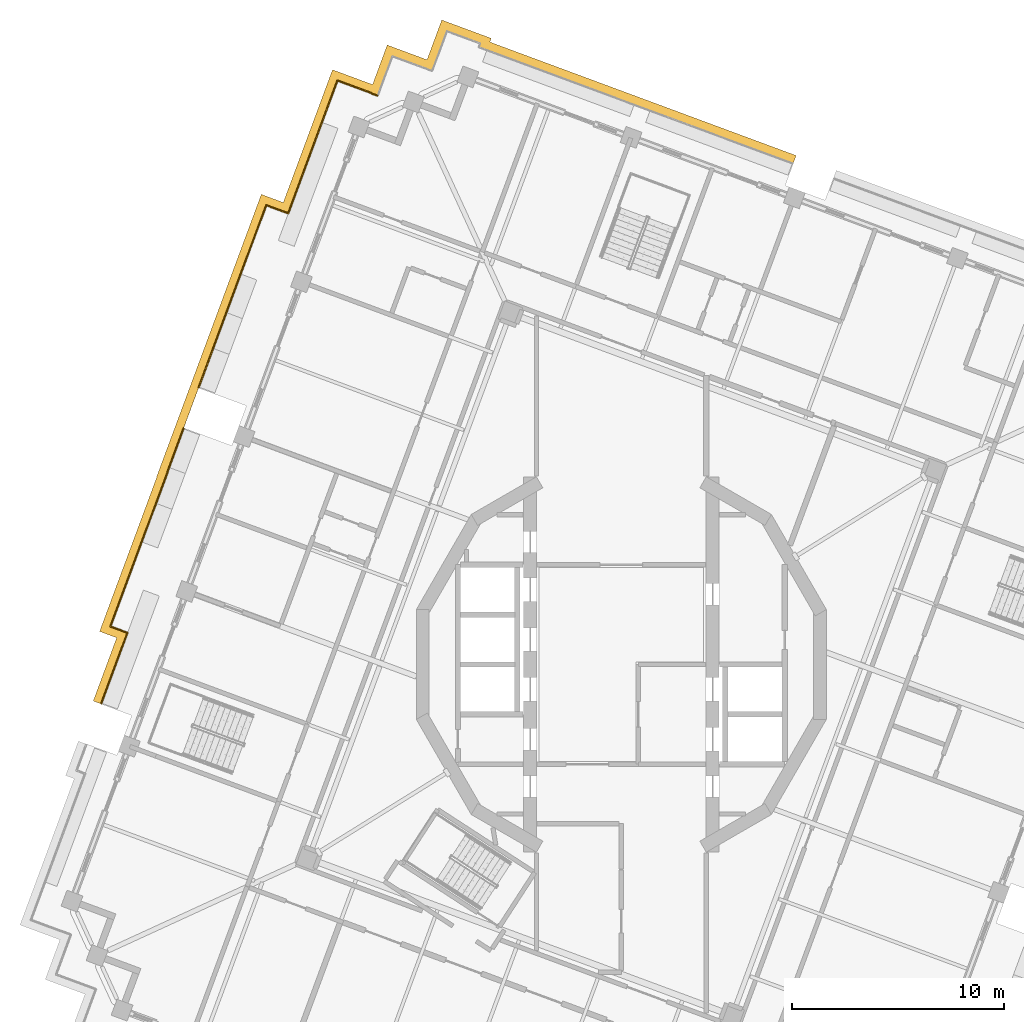
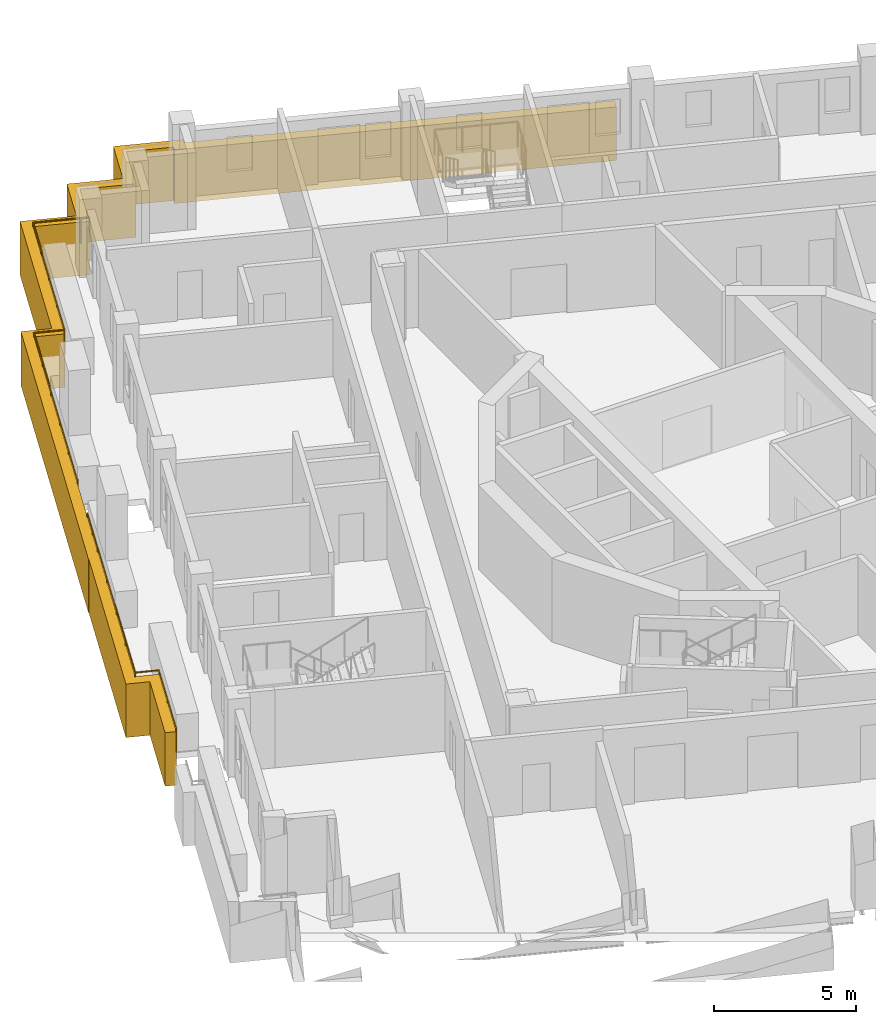
# One storey, part 15 of 18: 2 railings, 1 covering.
"""IFC4 building model written with IfcOpenShell, lengths in metres."""

import ifcopenshell
import ifcopenshell.guid

model = None  # the IFC model being written
_history = None  # IfcOwnerHistory: only IFC2X3 demands one
_inside = {}  # id of a spatial element -> (the spatial element, [elements in it])
_under = {}  # id of a project, library or spatial element -> (it, [spatial elements below it])
_declared = {}  # id of a project -> (the project, [libraries it declares])
_typed = {}  # id of a type object -> (the type object, [elements of that type])
_made_of = {}  # id of a material, layer set ... -> (it, [elements and type objects made of it])


def new_model(schema):
    """Start an empty IFC model of exactly this schema.

    Asked for "IFC4X3", IfcOpenShell would pick the latest addendum, in which some entities
    have other attributes; the version numbers below select the first issue.
    IFC2X3 requires an IfcOwnerHistory on every rooted entity: one is made here for all.
    """
    global model, _history
    if schema == "IFC4X3":
        model = ifcopenshell.file(schema_version=(4, 3, 0, 0))
    else:
        model = ifcopenshell.file(schema=schema)
    _inside.clear()
    _under.clear()
    _declared.clear()
    _typed.clear()
    _made_of.clear()
    _history = None
    if model.schema == "IFC2X3":
        org = make("IfcOrganization", Name="unknown")
        user = make(
            "IfcPersonAndOrganization",
            ThePerson=make("IfcPerson", FamilyName="unknown"),
            TheOrganization=org,
        )
        app = make(
            "IfcApplication",
            ApplicationDeveloper=org,
            Version="unknown",
            ApplicationFullName="unknown",
            ApplicationIdentifier="unknown",
        )
        _history = make(
            "IfcOwnerHistory",
            OwningUser=user,
            OwningApplication=app,
            ChangeAction="ADDED",
            CreationDate=0,
        )
    return model


def make(cls, **values):
    """One entity of the class cls with the attributes given. An attribute that is None is left unset."""
    return model.create_entity(
        cls, **{name: value for name, value in values.items() if value is not None}
    )


def rooted(cls, **values):
    """An entity with a GlobalId (a new one), such as an element, a storey or a relation."""
    return make(cls, GlobalId=ifcopenshell.guid.new(), OwnerHistory=_history, **values)


def si_unit(unit_type, name, prefix=None):
    """IfcSIUnit, for example si_unit("LENGTHUNIT", "METRE", prefix="MILLI")."""
    return make("IfcSIUnit", UnitType=unit_type, Prefix=prefix, Name=name)


def assignment(units):
    """IfcUnitAssignment: the units of a project."""
    return None if units is None else make("IfcUnitAssignment", Units=units)


def point(xyz):
    """IfcCartesianPoint."""
    return None if xyz is None else make("IfcCartesianPoint", Coordinates=xyz)


def direction(xyz):
    """IfcDirection."""
    return None if xyz is None else make("IfcDirection", DirectionRatios=xyz)


def frame(location, z_axis=None, x_axis=None):
    """IfcAxis2Placement3D, a coordinate frame: its origin and axes. An axis left out is left unset."""
    return make(
        "IfcAxis2Placement3D",
        Location=point(location),
        Axis=direction(z_axis),
        RefDirection=direction(x_axis),
    )


def frame_2d(location, x_axis=None):
    """IfcAxis2Placement2D, a coordinate frame in the plane: its origin and x axis."""
    return make(
        "IfcAxis2Placement2D", Location=point(location), RefDirection=direction(x_axis)
    )


def origin():
    """The frame at (0, 0, 0) with its axes left unset."""
    return frame((0.0, 0.0, 0.0))


def origin_2d():
    """The frame at (0, 0) in the plane with its x axis left unset."""
    return frame_2d((0.0, 0.0))


def place(relative_to, where):
    """IfcLocalPlacement: puts the frame where relative to a parent placement (None: the world)."""
    return make(
        "IfcLocalPlacement", PlacementRelTo=relative_to, RelativePlacement=where
    )


def context(
    kind, dimensions, precision=None, world=None, true_north=None, identifier=None
):
    """IfcGeometricRepresentationContext, for example the 3D "Model" context."""
    return make(
        "IfcGeometricRepresentationContext",
        ContextIdentifier=identifier,
        ContextType=kind,
        CoordinateSpaceDimension=dimensions,
        Precision=precision,
        WorldCoordinateSystem=world,
        TrueNorth=true_north,
    )


def subcontext(parent, identifier, kind, view, scale=None):
    """IfcGeometricRepresentationSubContext, for example "Body" below "Model"."""
    return make(
        "IfcGeometricRepresentationSubContext",
        ContextIdentifier=identifier,
        ContextType=kind,
        ParentContext=parent,
        TargetScale=scale,
        TargetView=view,
    )


def project(units=None, contexts=None):
    """IfcProject with its units and contexts."""
    return rooted(
        "IfcProject",
        Name="project",
        RepresentationContexts=contexts,
        UnitsInContext=assignment(units),
    )


def spatial(cls, under=None, at=None, **own):
    """A site, building, storey or space (cls), placed at a placement, below another one or the project."""
    s = rooted(cls, ObjectPlacement=at, **own)
    if under is not None:
        _under.setdefault(under.id(), (under, []))[1].append(s)
    return s


def polyline(points):
    """IfcPolyline through the points."""
    return make("IfcPolyline", Points=[point(p) for p in points])


def profile(cls, at=None, kind="AREA", **sizes):
    """A parametric profile (cls). Its sizes go by their IFC names, for example OverallWidth=200.0."""
    return make(cls, ProfileType=kind, Position=at, **sizes)


def circle(**sizes):
    """IfcCircleProfileDef."""
    return profile("IfcCircleProfileDef", **sizes)


def outline(outer, holes=None, kind="AREA"):
    """IfcArbitraryClosedProfileDef: a profile drawn as a closed curve; with holes, ...WithVoids."""
    if holes is None:
        return make("IfcArbitraryClosedProfileDef", ProfileType=kind, OuterCurve=outer)
    return make(
        "IfcArbitraryProfileDefWithVoids",
        ProfileType=kind,
        OuterCurve=outer,
        InnerCurves=holes,
    )


def extrude(swept, where, along, depth):
    """IfcExtrudedAreaSolid: the profile swept, set in the frame where, extruded along a direction by depth."""
    return make(
        "IfcExtrudedAreaSolid",
        SweptArea=swept,
        Position=where,
        ExtrudedDirection=direction(along),
        Depth=depth,
    )


def shape(context_of_items, identifier, shape_type, items):
    """IfcShapeRepresentation: the items that make up one representation, for example the "Body"."""
    return make(
        "IfcShapeRepresentation",
        ContextOfItems=context_of_items,
        RepresentationIdentifier=identifier,
        RepresentationType=shape_type,
        Items=items,
    )


def material(Name=None, Category=None):
    """IfcMaterial."""
    return make("IfcMaterial", Name=Name, Category=Category)


def made_of(thing, what):
    """Note that an element or type object is made of a material, layer set ...; save() writes the relation."""
    if what is not None:
        _made_of.setdefault(what.id(), (what, []))[1].append(thing)
    return thing


def type_object(cls, material=None, **own):
    """A type object (cls), such as IfcWallType, which elements share."""
    return made_of(rooted(cls, **own), material)


def element(
    cls,
    number,
    at=None,
    inside=None,
    cuts=None,
    type_object=None,
    material=None,
    context=None,
    identifier="Body",
    shape_type=None,
    held_by="IfcProductDefinitionShape",
    body=None,
    shapes=None,
    **own,
):
    """One element of the class cls, such as IfcWall. Its Tag is "e" and its number.

    at: its placement. inside: the storey or other place that contains it. cuts: it is an
    opening in that element (IfcRelVoidsElement). A single representation is given by context,
    identifier, shape_type and body (its items); several are given by shapes. held_by: the class
    of the entity that holds the representations. save() writes the other relations.
    """
    e = rooted(cls, Tag="e%d" % number, ObjectPlacement=at, **own)
    if body is not None:
        shapes = [shape(context, identifier, shape_type, body)]
    if shapes is not None:
        e.Representation = make(held_by, Representations=shapes)
    if inside is not None:
        _inside.setdefault(inside.id(), (inside, []))[1].append(e)
    if cuts is not None:
        rooted(
            "IfcRelVoidsElement", RelatingBuildingElement=cuts, RelatedOpeningElement=e
        )
    if type_object is not None:
        _typed.setdefault(type_object.id(), (type_object, []))[1].append(e)
    return made_of(e, material)


def aggregate(whole, parts):
    """IfcRelAggregates: a whole, such as a stair, and the parts it consists of."""
    return rooted("IfcRelAggregates", RelatingObject=whole, RelatedObjects=parts)


def save(model, path):
    """Write the relations noted so far, then the file.

    IfcRelAggregates (storeys below a building ...), IfcRelContainedInSpatialStructure (elements
    in a storey), IfcRelDefinesByType, IfcRelAssociatesMaterial and IfcRelDeclares: one each for
    every whole, place, type object, material and project.
    """
    for whole, parts in _under.values():
        aggregate(whole, parts)
    for where, things in _inside.values():
        rooted(
            "IfcRelContainedInSpatialStructure",
            RelatedElements=things,
            RelatingStructure=where,
        )
    for kind, things in _typed.values():
        rooted("IfcRelDefinesByType", RelatedObjects=things, RelatingType=kind)
    for what, things in _made_of.values():
        rooted("IfcRelAssociatesMaterial", RelatedObjects=things, RelatingMaterial=what)
    for by, libraries in _declared.values():
        rooted("IfcRelDeclares", RelatingContext=by, RelatedDefinitions=libraries)
    model.write(path)


model = new_model("IFC4")

# Units and contexts
model_context = context("Model", 3, precision=1e-05, world=origin(), true_north=direction((0.0, 1.0)))
body_context = subcontext(model_context, "Body", "Model", "MODEL_VIEW")
ifc_project = project(units=[si_unit("LENGTHUNIT", "METRE"), si_unit("AREAUNIT", "SQUARE_METRE"), si_unit("VOLUMEUNIT", "CUBIC_METRE"), si_unit("PLANEANGLEUNIT", "RADIAN"), si_unit("MASSUNIT", "GRAM", prefix="KILO")], contexts=[model_context])

# Site, building, storey
site_placement = place(None, origin())
site = spatial("IfcSite", under=ifc_project, at=site_placement, CompositionType="ELEMENT")
building_placement = place(site_placement, origin())
building = spatial("IfcBuilding", under=site, at=building_placement, Name="Cantera Rosa Tower", CompositionType="ELEMENT")
storey_placement = place(building_placement, frame((0.0, 0.0, 316.89990234375)))
storey = spatial("IfcBuildingStorey", under=building, at=storey_placement, Name="L70", CompositionType="ELEMENT", Elevation=316.89990234375)

# Railings
ifc_material_1 = material(Name="Stainless steel and laminated glass", Category="steel")
railing_type = type_object("IfcRailingType", Name="GUARD 1100", PredefinedType="BALUSTRADE", material=ifc_material_1)
railing_1_placement = place(storey_placement, frame((-24.501708984375, -1.8408203125, 0.0)))
element("IfcRailing", 1, at=railing_1_placement, inside=storey, type_object=railing_type, Name="GUARD L70-4", PredefinedType="BALUSTRADE", context=body_context, shape_type="SweptSolid", body=[
    extrude(circle(Radius=0.030029296875, at=origin_2d()), frame((0.0, 0.0, 1.070068359375), z_axis=(0.3474574284, 0.937695758469, 0.0), x_axis=(-0.937695758469, 0.3474574284, 0.0)), (0.0, 0.0, 1.0), 3.556884765625),
    extrude(circle(Radius=0.030029296875, at=origin_2d()), frame((1.23583984375, 3.335205078125, 1.070068359375), z_axis=(-0.93769038975, 0.347471916809, 0.0), x_axis=(-0.347471916809, -0.93769038975, 0.0)), (0.0, 0.0, 1.0), 0.85791015625),
    extrude(circle(Radius=0.030029296875, at=origin_2d()), frame((0.431396484375, 3.63330078125, 1.070068359375), z_axis=(0.347483265231, 0.937686184384, 0.0), x_axis=(-0.937686184384, 0.347483265231, 0.0)), (0.0, 0.0, 1.0), 7.76708984375),
    extrude(circle(Radius=0.030029296875, at=origin_2d()), frame((3.13037109375, 10.91650390625, 1.070068359375), z_axis=(-0.936329177569, 0.351123441588, 0.0), x_axis=(-0.351123441588, -0.936329177569, 0.0)), (0.0, 0.0, 1.0), 0.012451171875),
    extrude(circle(Radius=0.030029296875, at=origin_2d()), frame((3.11865234375, 10.9208984375, 1.070068359375), z_axis=(0.347383766327, 0.937723050208, 0.0), x_axis=(-0.937723050208, 0.347383766327, 0.0)), (0.0, 0.0, 1.0), 2.176513671875),
    extrude(circle(Radius=0.02490234375, at=origin_2d()), origin(), (0.0, 0.0, 1.0), 1.0400390625),
    extrude(circle(Radius=0.02490234375, at=origin_2d()), frame((0.617919921875, 1.66748046875, 0.0)), (0.0, 0.0, 1.0), 1.0400390625),
    extrude(circle(Radius=0.02490234375, at=origin_2d()), frame((1.23583984375, 3.335205078125, 0.0)), (0.0, 0.0, 1.0), 1.0400390625),
    extrude(circle(Radius=0.02490234375, at=origin_2d()), frame((0.431396484375, 3.63330078125, 0.0)), (0.0, 0.0, 1.0), 1.0400390625),
    extrude(circle(Radius=0.02490234375, at=origin_2d()), frame((1.106201171875, 5.4541015625, 0.0)), (0.0, 0.0, 1.0), 1.0400390625),
    extrude(circle(Radius=0.02490234375, at=origin_2d()), frame((1.78076171875, 7.27490234375, 0.0)), (0.0, 0.0, 1.0), 1.0400390625),
    extrude(circle(Radius=0.02490234375, at=origin_2d()), frame((2.45556640625, 9.095703125, 0.0)), (0.0, 0.0, 1.0), 1.0400390625),
    extrude(circle(Radius=0.02490234375, at=origin_2d()), frame((3.13037109375, 10.91650390625, 0.0)), (0.0, 0.0, 1.0), 1.0400390625),
    extrude(circle(Radius=0.02490234375, at=origin_2d()), frame((3.11865234375, 10.9208984375, 0.0)), (0.0, 0.0, 1.0), 1.0400390625),
    extrude(circle(Radius=0.02490234375, at=origin_2d()), frame((3.49658203125, 11.94140625, 0.0)), (0.0, 0.0, 1.0), 1.0400390625),
    extrude(circle(Radius=0.02490234375, at=origin_2d()), frame((3.874755859375, 12.9619140625, 0.0)), (0.0, 0.0, 1.0), 1.0400390625),
])
railing_2_placement = place(storey_placement, frame((-19.911376953125, 13.051513671875, 0.0)))
element("IfcRailing", 2, at=railing_2_placement, inside=storey, type_object=railing_type, Name="GUARD L70-5", PredefinedType="BALUSTRADE", context=body_context, shape_type="SweptSolid", body=[
    extrude(circle(Radius=0.030029296875, at=origin_2d()), frame((0.0, 0.0, 1.070068359375), z_axis=(0.347474136688, 0.937689567145, 0.0), x_axis=(-0.937689567145, 0.347474136688, 0.0)), (0.0, 0.0, 1.0), 9.156494140625),
    extrude(circle(Radius=0.030029296875, at=origin_2d()), frame((3.181640625, 8.5859375, 1.070068359375), z_axis=(0.937674167555, -0.347515691013, 0.0), x_axis=(0.347515691013, 0.937674167555, 0.0)), (0.0, 0.0, 1.0), 1.105712890625),
    extrude(circle(Radius=0.030029296875, at=origin_2d()), frame((4.218505859375, 8.20166015625, 1.070068359375), z_axis=(0.347504967842, 0.937678141648, 0.0), x_axis=(-0.937678141648, 0.347504967842, 0.0)), (0.0, 0.0, 1.0), 6.67431640625),
    extrude(circle(Radius=0.030029296875, at=origin_2d()), frame((6.537841796875, 14.4599609375, 1.070068359375), z_axis=(0.93766211216, -0.347548217403, 0.0), x_axis=(0.347548217403, 0.93766211216, 0.0)), (0.0, 0.0, 1.0), 1.699951171875),
    extrude(circle(Radius=0.030029296875, at=origin_2d()), frame((8.1318359375, 13.869140625, 1.070068359375), z_axis=(-0.355217760624, -0.934783580588, 0.0), x_axis=(0.934783580588, -0.355217760624, 0.0)), (0.0, 0.0, 1.0), 0.012939453125),
    extrude(circle(Radius=0.030029296875, at=origin_2d()), frame((8.127197265625, 13.85693359375, 1.070068359375), z_axis=(0.937635888853, -0.347618957962, 0.0), x_axis=(0.347618957962, 0.937635888853, 0.0)), (0.0, 0.0, 1.0), 0.313232421875),
    extrude(circle(Radius=0.02490234375, at=origin_2d()), origin(), (0.0, 0.0, 1.0), 1.0400390625),
    extrude(circle(Radius=0.02490234375, at=origin_2d()), frame((0.63623046875, 1.71728515625, 0.0)), (0.0, 0.0, 1.0), 1.0400390625),
    extrude(circle(Radius=0.02490234375, at=origin_2d()), frame((1.272705078125, 3.434326171875, 0.0)), (0.0, 0.0, 1.0), 1.0400390625),
    extrude(circle(Radius=0.02490234375, at=origin_2d()), frame((1.908935546875, 5.151611328125, 0.0)), (0.0, 0.0, 1.0), 1.0400390625),
    extrude(circle(Radius=0.02490234375, at=origin_2d()), frame((2.54541015625, 6.86865234375, 0.0)), (0.0, 0.0, 1.0), 1.0400390625),
    extrude(circle(Radius=0.02490234375, at=origin_2d()), frame((3.181640625, 8.5859375, 0.0)), (0.0, 0.0, 1.0), 1.0400390625),
    extrude(circle(Radius=0.02490234375, at=origin_2d()), frame((4.218505859375, 8.20166015625, 0.0)), (0.0, 0.0, 1.0), 1.0400390625),
    extrude(circle(Radius=0.02490234375, at=origin_2d()), frame((4.79833984375, 9.76611328125, 0.0)), (0.0, 0.0, 1.0), 1.0400390625),
    extrude(circle(Radius=0.02490234375, at=origin_2d()), frame((5.378173828125, 11.330810546875, 0.0)), (0.0, 0.0, 1.0), 1.0400390625),
    extrude(circle(Radius=0.02490234375, at=origin_2d()), frame((5.9580078125, 12.8955078125, 0.0)), (0.0, 0.0, 1.0), 1.0400390625),
    extrude(circle(Radius=0.02490234375, at=origin_2d()), frame((6.537841796875, 14.4599609375, 0.0)), (0.0, 0.0, 1.0), 1.0400390625),
    extrude(circle(Radius=0.02490234375, at=origin_2d()), frame((8.1318359375, 13.869140625, 0.0)), (0.0, 0.0, 1.0), 1.0400390625),
    extrude(circle(Radius=0.02490234375, at=origin_2d()), frame((8.127197265625, 13.85693359375, 0.0)), (0.0, 0.0, 1.0), 1.0400390625),
    extrude(circle(Radius=0.02490234375, at=origin_2d()), frame((8.4208984375, 13.748046875, 0.0)), (0.0, 0.0, 1.0), 1.0400390625),
])

# Covering
ifc_material_2 = material(Name="Cantera stone", Category="masonry")
covering_type = type_object("IfcCoveringType", Name="TRAY FASCIA 400", PredefinedType="CLADDING", material=ifc_material_2)
covering_placement = place(storey_placement, frame((0.0, 0.0, -1.39990234375)))
element("IfcCovering", 3, at=covering_placement, inside=storey, type_object=covering_type, Name="TRAY FASCIA L70-02", PredefinedType="CLADDING", context=body_context, shape_type="SweptSolid", body=[
    extrude(outline(polyline([(-23.77978515625, 1.25830078125), (-24.584228515625, 1.556396484375), (-21.88525390625, 8.839599609375), (-21.897216796875, 8.843994140625), (-16.9658203125, 22.151611328125), (-15.928955078125, 21.767333984375), (-13.609619140625, 28.025390625), (-11.72216796875, 27.325927734375), (-11.03173828125, 29.18896484375), (-9.15625, 28.494140625), (-8.46142578125, 30.369384765625), (-6.12939453125, 29.50537109375), (-6.1943359375, 29.330078125), (-0.286865234375, 27.140869140625), (2.526123046875, 26.098388671875), (7.402099609375, 24.29150390625), (8.236572265625, 23.982421875), (8.09765625, 23.607177734375), (7.26318359375, 23.91650390625), (2.38720703125, 25.723388671875), (-0.426025390625, 26.765869140625), (-6.70849609375, 29.093994140625), (-6.6435546875, 29.269287109375), (-8.225341796875, 29.85546875), (-8.920166015625, 27.97998046875), (-9.2138671875, 28.0888671875), (-10.795654296875, 28.675048828125), (-11.3818359375, 27.09326171875), (-11.490478515625, 26.799560546875), (-11.7841796875, 26.908447265625), (-11.779541015625, 26.920654296875), (-13.37353515625, 27.511474609375), (-15.69287109375, 21.253173828125), (-16.729736328125, 21.637451171875), (-19.9189453125, 13.031494140625), (-19.91943359375, 13.031494140625), (-19.92041015625, 13.031005859375), (-19.921142578125, 13.030517578125), (-19.922119140625, 13.030029296875), (-19.9228515625, 13.029296875), (-19.923583984375, 13.02880859375), (-19.924072265625, 13.028076171875), (-19.924560546875, 13.027099609375), (-19.925048828125, 13.0263671875), (-19.925537109375, 13.025390625), (-20.62060546875, 11.150146484375), (-20.620849609375, 11.149169921875), (-20.62109375, 11.148193359375), (-20.62109375, 11.147216796875), (-20.62109375, 11.146240234375), (-20.62109375, 11.145263671875), (-20.620849609375, 11.144287109375), (-20.62060546875, 11.143310546875), (-20.6201171875, 11.142333984375), (-20.619873046875, 11.1416015625), (-20.619384765625, 11.14111328125), (-21.383056640625, 9.080078125), (-21.371337890625, 9.07568359375), (-24.0703125, 1.79248046875), (-23.265869140625, 1.494384765625), (-24.5087890625, -1.859619140625), (-24.8837890625, -1.720458984375), (-23.77978515625, 1.25830078125)])), origin(), (0.0, 0.0, 1.0), 2.300048828125),
])

save(model, "model.ifc")
